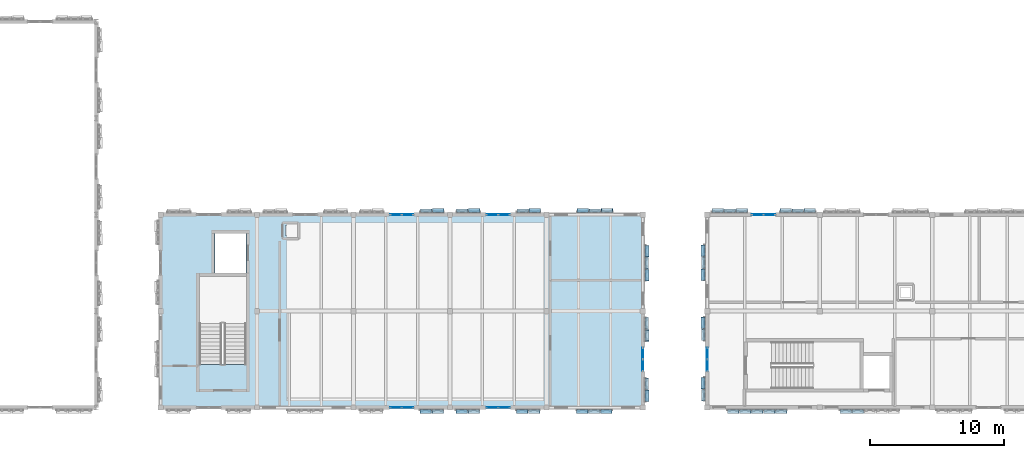
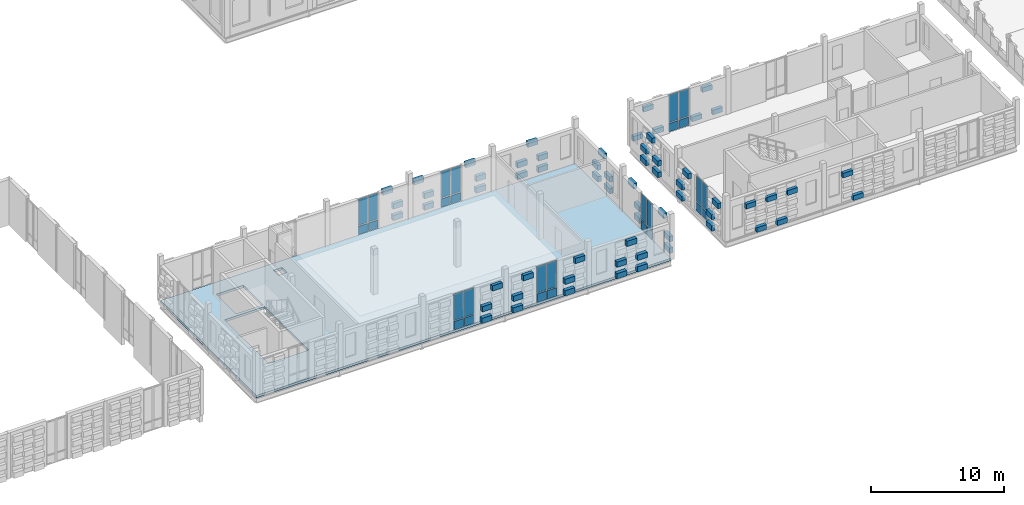
# One storey, part 35 of 81: 91 plates, 1 slab, 7 elements without a shape of their own.
"""IFC4 building model written with IfcOpenShell, lengths in metres."""

from ifc_helpers import new_model, si_unit, direction, frame, origin, origin_2d, place, context, subcontext, project, spatial, polyline, rectangle, outline, extrude, material, layer, layer_set, type_object, element, aggregate, save


model = new_model("IFC4")

# Units and contexts
model_context = context("Model", 3, precision=1e-05, world=origin(), true_north=direction((0.0, 1.0)))
body_context = subcontext(model_context, "Body", "Model", "MODEL_VIEW")
ifc_project = project(units=[si_unit("LENGTHUNIT", "METRE"), si_unit("AREAUNIT", "SQUARE_METRE"), si_unit("VOLUMEUNIT", "CUBIC_METRE"), si_unit("PLANEANGLEUNIT", "RADIAN"), si_unit("MASSUNIT", "GRAM", prefix="KILO")], contexts=[model_context])

# Site, building, storey
site_placement = place(None, origin())
site = spatial("IfcSite", under=ifc_project, at=site_placement, CompositionType="ELEMENT")
building_placement = place(site_placement, origin())
building = spatial("IfcBuilding", under=site, at=building_placement, Name="Kahlenmark Community Centre", CompositionType="ELEMENT")
storey_placement = place(building_placement, frame((0.0, 0.0, 9.60009765625)))
storey = spatial("IfcBuildingStorey", under=building, at=storey_placement, Name="L02", CompositionType="ELEMENT", Elevation=9.60009765625)

# Curtain wall, plates
ifc_material_1 = material(Name="Anodised aluminium unitised curtain wall", Category="aluminium")
curtain_wall_type_1 = type_object("IfcCurtainWallType", Name="CWT-UNIT-180X327", PredefinedType="USERDEFINED", material=ifc_material_1)
curtain_wall_1_placement = place(storey_placement, origin())
curtain_wall_1 = element("IfcCurtainWall", 1, at=curtain_wall_1_placement, inside=storey, type_object=curtain_wall_type_1, Name="Unitised curtain wall CW-104", ObjectType="UNITISED CURTAIN WALL", PredefinedType="USERDEFINED")
ifc_material_2 = material(Name="Triple low-e solar-control glass unit", Category="glass")
ifc_layer_1 = layer(ifc_material_2, 0.0439453125)
ifc_layer_set_1 = layer_set([ifc_layer_1], Name="Triple low-e solar-control glass unit")
plate_type_1 = type_object("IfcPlateType", Name="PLT-CW-GLZ-820X2340", PredefinedType="CURTAIN_PANEL", material=ifc_layer_set_1)
plate_1_placement = place(storey_placement, frame((91.60009765625, 12.85009765625, 0.8896484375), z_axis=(0.0, 0.0, 1.0), x_axis=(0.0, -1.0, 0.0)))
plate_1 = element("IfcPlate", 2, at=plate_1_placement, type_object=plate_type_1, Name="CW-104 glazed panel 1", PredefinedType="CURTAIN_PANEL", context=body_context, shape_type="SweptSolid", body=[
    extrude(rectangle(XDim=0.820068359375, YDim=0.0439453125, at=origin_2d()), origin(), (0.0, 0.0, 1.0), 2.340087890625),
])
plate_2_placement = place(storey_placement, frame((91.60009765625, 11.949951171875, 0.8896484375), z_axis=(0.0, 0.0, 1.0), x_axis=(0.0, -1.0, 0.0)))
plate_2 = element("IfcPlate", 3, at=plate_2_placement, type_object=plate_type_1, Name="CW-104 glazed panel 2", PredefinedType="CURTAIN_PANEL", context=body_context, shape_type="SweptSolid", body=[
    extrude(rectangle(XDim=0.820068359375, YDim=0.0439453125, at=origin_2d()), origin(), (0.0, 0.0, 1.0), 2.340087890625),
])

curtain_wall_type_2 = type_object("IfcCurtainWallType", Name="CWT-UNIT-180X333", PredefinedType="USERDEFINED", material=ifc_material_1)
curtain_wall_2_placement = place(storey_placement, origin())
curtain_wall_2 = element("IfcCurtainWall", 4, at=curtain_wall_2_placement, inside=storey, type_object=curtain_wall_type_2, Name="Unitised curtain wall CW-081", ObjectType="UNITISED CURTAIN WALL", PredefinedType="USERDEFINED")
ifc_layer_2 = layer(ifc_material_2, 0.0439453125)
ifc_layer_set_2 = layer_set([ifc_layer_2], Name="Triple low-e solar-control glass unit")
plate_type_2 = type_object("IfcPlateType", Name="PLT-CW-GLZ-820X2400", PredefinedType="CURTAIN_PANEL", material=ifc_layer_set_2)
plate_3_placement = place(storey_placement, frame((68.35009765625, 8.800048828125, 0.889892578125), z_axis=(0.0, 0.0, 1.0), x_axis=(1.0, 0.0, 0.0)))
plate_3 = element("IfcPlate", 5, at=plate_3_placement, type_object=plate_type_2, Name="CW-081 glazed panel 1", PredefinedType="CURTAIN_PANEL", context=body_context, shape_type="SweptSolid", body=[
    extrude(rectangle(XDim=0.820068359375, YDim=0.0439453125, at=origin_2d()), origin(), (0.0, 0.0, 1.0), 2.39990234375),
])
plate_4_placement = place(storey_placement, frame((69.25, 8.800048828125, 0.889892578125), z_axis=(0.0, 0.0, 1.0), x_axis=(1.0, 0.0, 0.0)))
plate_4 = element("IfcPlate", 6, at=plate_4_placement, type_object=plate_type_2, Name="CW-081 glazed panel 2", PredefinedType="CURTAIN_PANEL", context=body_context, shape_type="SweptSolid", body=[
    extrude(rectangle(XDim=0.820068359375, YDim=0.0439453125, at=origin_2d()), origin(), (0.0, 0.0, 1.0), 2.39990234375),
])

curtain_wall_3_placement = place(storey_placement, origin())
curtain_wall_3 = element("IfcCurtainWall", 7, at=curtain_wall_3_placement, inside=storey, type_object=curtain_wall_type_2, Name="Unitised curtain wall CW-082", ObjectType="UNITISED CURTAIN WALL", PredefinedType="USERDEFINED")
plate_5_placement = place(storey_placement, frame((75.550048828125, 8.800048828125, 0.889892578125), z_axis=(0.0, 0.0, 1.0), x_axis=(1.0, 0.0, 0.0)))
plate_5 = element("IfcPlate", 8, at=plate_5_placement, type_object=plate_type_2, Name="CW-082 glazed panel 1", PredefinedType="CURTAIN_PANEL", context=body_context, shape_type="SweptSolid", body=[
    extrude(rectangle(XDim=0.820068359375, YDim=0.0439453125, at=origin_2d()), origin(), (0.0, 0.0, 1.0), 2.39990234375),
])
plate_6_placement = place(storey_placement, frame((76.449951171875, 8.800048828125, 0.889892578125), z_axis=(0.0, 0.0, 1.0), x_axis=(1.0, 0.0, 0.0)))
plate_6 = element("IfcPlate", 9, at=plate_6_placement, type_object=plate_type_2, Name="CW-082 glazed panel 2", PredefinedType="CURTAIN_PANEL", context=body_context, shape_type="SweptSolid", body=[
    extrude(rectangle(XDim=0.820068359375, YDim=0.0439453125, at=origin_2d()), origin(), (0.0, 0.0, 1.0), 2.39990234375),
])

curtain_wall_4_placement = place(storey_placement, origin())
curtain_wall_4 = element("IfcCurtainWall", 10, at=curtain_wall_4_placement, inside=storey, type_object=curtain_wall_type_2, Name="Unitised curtain wall CW-085", ObjectType="UNITISED CURTAIN WALL", PredefinedType="USERDEFINED")
plate_7_placement = place(storey_placement, frame((69.25, 23.199951171875, 0.889892578125), z_axis=(0.0, 0.0, 1.0), x_axis=(-1.0, 0.0, 0.0)))
plate_7 = element("IfcPlate", 11, at=plate_7_placement, type_object=plate_type_2, Name="CW-085 glazed panel 1", PredefinedType="CURTAIN_PANEL", context=body_context, shape_type="SweptSolid", body=[
    extrude(rectangle(XDim=0.820068359375, YDim=0.0439453125, at=origin_2d()), origin(), (0.0, 0.0, 1.0), 2.39990234375),
])
plate_8_placement = place(storey_placement, frame((68.35009765625, 23.199951171875, 0.889892578125), z_axis=(0.0, 0.0, 1.0), x_axis=(-1.0, 0.0, 0.0)))
plate_8 = element("IfcPlate", 12, at=plate_8_placement, type_object=plate_type_2, Name="CW-085 glazed panel 2", PredefinedType="CURTAIN_PANEL", context=body_context, shape_type="SweptSolid", body=[
    extrude(rectangle(XDim=0.820068359375, YDim=0.0439453125, at=origin_2d()), origin(), (0.0, 0.0, 1.0), 2.39990234375),
])

curtain_wall_5_placement = place(storey_placement, origin())
curtain_wall_5 = element("IfcCurtainWall", 13, at=curtain_wall_5_placement, inside=storey, type_object=curtain_wall_type_2, Name="Unitised curtain wall CW-086", ObjectType="UNITISED CURTAIN WALL", PredefinedType="USERDEFINED")
plate_9_placement = place(storey_placement, frame((76.449951171875, 23.199951171875, 0.889892578125), z_axis=(0.0, 0.0, 1.0), x_axis=(-1.0, 0.0, 0.0)))
plate_9 = element("IfcPlate", 14, at=plate_9_placement, type_object=plate_type_2, Name="CW-086 glazed panel 1", PredefinedType="CURTAIN_PANEL", context=body_context, shape_type="SweptSolid", body=[
    extrude(rectangle(XDim=0.820068359375, YDim=0.0439453125, at=origin_2d()), origin(), (0.0, 0.0, 1.0), 2.39990234375),
])
plate_10_placement = place(storey_placement, frame((75.550048828125, 23.199951171875, 0.889892578125), z_axis=(0.0, 0.0, 1.0), x_axis=(-1.0, 0.0, 0.0)))
plate_10 = element("IfcPlate", 15, at=plate_10_placement, type_object=plate_type_2, Name="CW-086 glazed panel 2", PredefinedType="CURTAIN_PANEL", context=body_context, shape_type="SweptSolid", body=[
    extrude(rectangle(XDim=0.820068359375, YDim=0.0439453125, at=origin_2d()), origin(), (0.0, 0.0, 1.0), 2.39990234375),
])

curtain_wall_6_placement = place(storey_placement, origin())
curtain_wall_6 = element("IfcCurtainWall", 16, at=curtain_wall_6_placement, inside=storey, type_object=curtain_wall_type_2, Name="Unitised curtain wall CW-088", ObjectType="UNITISED CURTAIN WALL", PredefinedType="USERDEFINED")
plate_11_placement = place(storey_placement, frame((86.800048828125, 11.949951171875, 0.889892578125), z_axis=(0.0, 0.0, 1.0), x_axis=(0.0, 1.0, 0.0)))
plate_11 = element("IfcPlate", 17, at=plate_11_placement, type_object=plate_type_2, Name="CW-088 glazed panel 1", PredefinedType="CURTAIN_PANEL", context=body_context, shape_type="SweptSolid", body=[
    extrude(rectangle(XDim=0.820068359375, YDim=0.0439453125, at=origin_2d()), origin(), (0.0, 0.0, 1.0), 2.39990234375),
])
plate_12_placement = place(storey_placement, frame((86.800048828125, 12.85009765625, 0.889892578125), z_axis=(0.0, 0.0, 1.0), x_axis=(0.0, 1.0, 0.0)))
plate_12 = element("IfcPlate", 18, at=plate_12_placement, type_object=plate_type_2, Name="CW-088 glazed panel 2", PredefinedType="CURTAIN_PANEL", context=body_context, shape_type="SweptSolid", body=[
    extrude(rectangle(XDim=0.820068359375, YDim=0.0439453125, at=origin_2d()), origin(), (0.0, 0.0, 1.0), 2.39990234375),
])

curtain_wall_type_3 = type_object("IfcCurtainWallType", Name="CWT-UNIT-180X347", PredefinedType="USERDEFINED", material=ifc_material_1)
curtain_wall_7_placement = place(storey_placement, origin())
curtain_wall_7 = element("IfcCurtainWall", 19, at=curtain_wall_7_placement, inside=storey, type_object=curtain_wall_type_3, Name="Unitised curtain wall CW-102", ObjectType="UNITISED CURTAIN WALL", PredefinedType="USERDEFINED")
ifc_layer_3 = layer(ifc_material_2, 0.0439453125)
ifc_layer_set_3 = layer_set([ifc_layer_3], Name="Triple low-e solar-control glass unit")
plate_type_3 = type_object("IfcPlateType", Name="PLT-CW-GLZ-820X2540", PredefinedType="CURTAIN_PANEL", material=ifc_layer_set_3)
plate_13_placement = place(storey_placement, frame((96.25, 23.199951171875, 0.889892578125), z_axis=(0.0, 0.0, 1.0), x_axis=(-1.0, 0.0, 0.0)))
plate_13 = element("IfcPlate", 20, at=plate_13_placement, type_object=plate_type_3, Name="CW-102 glazed panel 1", PredefinedType="CURTAIN_PANEL", context=body_context, shape_type="SweptSolid", body=[
    extrude(rectangle(XDim=0.820068359375, YDim=0.0439453125, at=origin_2d()), origin(), (0.0, 0.0, 1.0), 2.5400390625),
])
plate_14_placement = place(storey_placement, frame((95.35009765625, 23.199951171875, 0.889892578125), z_axis=(0.0, 0.0, 1.0), x_axis=(-1.0, 0.0, 0.0)))
plate_14 = element("IfcPlate", 21, at=plate_14_placement, type_object=plate_type_3, Name="CW-102 glazed panel 2", PredefinedType="CURTAIN_PANEL", context=body_context, shape_type="SweptSolid", body=[
    extrude(rectangle(XDim=0.820068359375, YDim=0.0439453125, at=origin_2d()), origin(), (0.0, 0.0, 1.0), 2.5400390625),
])

# Plate
ifc_material_3 = material(Name="Warm terracotta insulated spandrel cassette", Category="masonry")
ifc_layer_4 = layer(ifc_material_3, 0.06005859375)
ifc_layer_set_4 = layer_set([ifc_layer_4], Name="Warm terracotta insulated spandrel cassette")
plate_type_4 = type_object("IfcPlateType", Name="PLT-CW-SPD-820X770", PredefinedType="CURTAIN_PANEL", material=ifc_layer_set_4)
plate_15_placement = place(storey_placement, frame((68.35009765625, 8.800048828125, 0.039794921875), z_axis=(0.0, 0.0, 1.0), x_axis=(1.0, 0.0, 0.0)))
plate_15 = element("IfcPlate", 22, at=plate_15_placement, type_object=plate_type_4, Name="CW-081 spandrel 1", PredefinedType="CURTAIN_PANEL", context=body_context, shape_type="SweptSolid", body=[
    extrude(rectangle(XDim=0.820068359375, YDim=0.06005859375, at=origin_2d()), origin(), (0.0, 0.0, 1.0), 0.77001953125),
])

plate_16_placement = place(storey_placement, frame((69.25, 8.800048828125, 0.039794921875), z_axis=(0.0, 0.0, 1.0), x_axis=(1.0, 0.0, 0.0)))
plate_16 = element("IfcPlate", 23, at=plate_16_placement, type_object=plate_type_4, Name="CW-081 spandrel 2", PredefinedType="CURTAIN_PANEL", context=body_context, shape_type="SweptSolid", body=[
    extrude(rectangle(XDim=0.820068359375, YDim=0.06005859375, at=origin_2d()), origin(), (0.0, 0.0, 1.0), 0.77001953125),
])

aggregate(curtain_wall_2, [plate_15, plate_3, plate_16, plate_4])

plate_17_placement = place(storey_placement, frame((75.550048828125, 8.800048828125, 0.039794921875), z_axis=(0.0, 0.0, 1.0), x_axis=(1.0, 0.0, 0.0)))
plate_17 = element("IfcPlate", 24, at=plate_17_placement, type_object=plate_type_4, Name="CW-082 spandrel 1", PredefinedType="CURTAIN_PANEL", context=body_context, shape_type="SweptSolid", body=[
    extrude(rectangle(XDim=0.820068359375, YDim=0.06005859375, at=origin_2d()), origin(), (0.0, 0.0, 1.0), 0.77001953125),
])

plate_18_placement = place(storey_placement, frame((76.449951171875, 8.800048828125, 0.039794921875), z_axis=(0.0, 0.0, 1.0), x_axis=(1.0, 0.0, 0.0)))
plate_18 = element("IfcPlate", 25, at=plate_18_placement, type_object=plate_type_4, Name="CW-082 spandrel 2", PredefinedType="CURTAIN_PANEL", context=body_context, shape_type="SweptSolid", body=[
    extrude(rectangle(XDim=0.820068359375, YDim=0.06005859375, at=origin_2d()), origin(), (0.0, 0.0, 1.0), 0.77001953125),
])

aggregate(curtain_wall_3, [plate_17, plate_5, plate_18, plate_6])

plate_19_placement = place(storey_placement, frame((69.25, 23.199951171875, 0.039794921875), z_axis=(0.0, 0.0, 1.0), x_axis=(-1.0, 0.0, 0.0)))
plate_19 = element("IfcPlate", 26, at=plate_19_placement, type_object=plate_type_4, Name="CW-085 spandrel 1", PredefinedType="CURTAIN_PANEL", context=body_context, shape_type="SweptSolid", body=[
    extrude(rectangle(XDim=0.820068359375, YDim=0.06005859375, at=origin_2d()), origin(), (0.0, 0.0, 1.0), 0.77001953125),
])

plate_20_placement = place(storey_placement, frame((68.35009765625, 23.199951171875, 0.039794921875), z_axis=(0.0, 0.0, 1.0), x_axis=(-1.0, 0.0, 0.0)))
plate_20 = element("IfcPlate", 27, at=plate_20_placement, type_object=plate_type_4, Name="CW-085 spandrel 2", PredefinedType="CURTAIN_PANEL", context=body_context, shape_type="SweptSolid", body=[
    extrude(rectangle(XDim=0.820068359375, YDim=0.06005859375, at=origin_2d()), origin(), (0.0, 0.0, 1.0), 0.77001953125),
])

aggregate(curtain_wall_4, [plate_19, plate_7, plate_20, plate_8])

plate_21_placement = place(storey_placement, frame((76.449951171875, 23.199951171875, 0.039794921875), z_axis=(0.0, 0.0, 1.0), x_axis=(-1.0, 0.0, 0.0)))
plate_21 = element("IfcPlate", 28, at=plate_21_placement, type_object=plate_type_4, Name="CW-086 spandrel 1", PredefinedType="CURTAIN_PANEL", context=body_context, shape_type="SweptSolid", body=[
    extrude(rectangle(XDim=0.820068359375, YDim=0.06005859375, at=origin_2d()), origin(), (0.0, 0.0, 1.0), 0.77001953125),
])

plate_22_placement = place(storey_placement, frame((75.550048828125, 23.199951171875, 0.039794921875), z_axis=(0.0, 0.0, 1.0), x_axis=(-1.0, 0.0, 0.0)))
plate_22 = element("IfcPlate", 29, at=plate_22_placement, type_object=plate_type_4, Name="CW-086 spandrel 2", PredefinedType="CURTAIN_PANEL", context=body_context, shape_type="SweptSolid", body=[
    extrude(rectangle(XDim=0.820068359375, YDim=0.06005859375, at=origin_2d()), origin(), (0.0, 0.0, 1.0), 0.77001953125),
])

aggregate(curtain_wall_5, [plate_21, plate_9, plate_22, plate_10])

plate_23_placement = place(storey_placement, frame((86.800048828125, 11.949951171875, 0.039794921875), z_axis=(0.0, 0.0, 1.0), x_axis=(0.0, 1.0, 0.0)))
plate_23 = element("IfcPlate", 30, at=plate_23_placement, type_object=plate_type_4, Name="CW-088 spandrel 1", PredefinedType="CURTAIN_PANEL", context=body_context, shape_type="SweptSolid", body=[
    extrude(rectangle(XDim=0.820068359375, YDim=0.06005859375, at=origin_2d()), origin(), (0.0, 0.0, 1.0), 0.77001953125),
])

plate_24_placement = place(storey_placement, frame((86.800048828125, 12.85009765625, 0.039794921875), z_axis=(0.0, 0.0, 1.0), x_axis=(0.0, 1.0, 0.0)))
plate_24 = element("IfcPlate", 31, at=plate_24_placement, type_object=plate_type_4, Name="CW-088 spandrel 2", PredefinedType="CURTAIN_PANEL", context=body_context, shape_type="SweptSolid", body=[
    extrude(rectangle(XDim=0.820068359375, YDim=0.06005859375, at=origin_2d()), origin(), (0.0, 0.0, 1.0), 0.77001953125),
])

aggregate(curtain_wall_6, [plate_23, plate_11, plate_24, plate_12])

plate_25_placement = place(storey_placement, frame((96.25, 23.199951171875, 0.039794921875), z_axis=(0.0, 0.0, 1.0), x_axis=(-1.0, 0.0, 0.0)))
plate_25 = element("IfcPlate", 32, at=plate_25_placement, type_object=plate_type_4, Name="CW-102 spandrel 1", PredefinedType="CURTAIN_PANEL", context=body_context, shape_type="SweptSolid", body=[
    extrude(rectangle(XDim=0.820068359375, YDim=0.06005859375, at=origin_2d()), origin(), (0.0, 0.0, 1.0), 0.77001953125),
])

plate_26_placement = place(storey_placement, frame((95.35009765625, 23.199951171875, 0.039794921875), z_axis=(0.0, 0.0, 1.0), x_axis=(-1.0, 0.0, 0.0)))
plate_26 = element("IfcPlate", 33, at=plate_26_placement, type_object=plate_type_4, Name="CW-102 spandrel 2", PredefinedType="CURTAIN_PANEL", context=body_context, shape_type="SweptSolid", body=[
    extrude(rectangle(XDim=0.820068359375, YDim=0.06005859375, at=origin_2d()), origin(), (0.0, 0.0, 1.0), 0.77001953125),
])

aggregate(curtain_wall_7, [plate_25, plate_13, plate_26, plate_14])

plate_27_placement = place(storey_placement, frame((91.60009765625, 12.85009765625, 0.039794921875), z_axis=(0.0, 0.0, 1.0), x_axis=(0.0, -1.0, 0.0)))
plate_27 = element("IfcPlate", 34, at=plate_27_placement, type_object=plate_type_4, Name="CW-104 spandrel 1", PredefinedType="CURTAIN_PANEL", context=body_context, shape_type="SweptSolid", body=[
    extrude(rectangle(XDim=0.820068359375, YDim=0.06005859375, at=origin_2d()), origin(), (0.0, 0.0, 1.0), 0.77001953125),
])

plate_28_placement = place(storey_placement, frame((91.60009765625, 11.949951171875, 0.039794921875), z_axis=(0.0, 0.0, 1.0), x_axis=(0.0, -1.0, 0.0)))
plate_28 = element("IfcPlate", 35, at=plate_28_placement, type_object=plate_type_4, Name="CW-104 spandrel 2", PredefinedType="CURTAIN_PANEL", context=body_context, shape_type="SweptSolid", body=[
    extrude(rectangle(XDim=0.820068359375, YDim=0.06005859375, at=origin_2d()), origin(), (0.0, 0.0, 1.0), 0.77001953125),
])

aggregate(curtain_wall_1, [plate_27, plate_1, plate_28, plate_2])

# Plates
ifc_material_4 = material(Name="Extruded glazed terracotta weave cassette", Category="masonry")
ifc_layer_5 = layer(ifc_material_4, 0.300048828125)
ifc_layer_set_5 = layer_set([ifc_layer_5], Name="Extruded glazed terracotta weave cassette")
plate_type_5 = type_object("IfcPlateType", Name="PLT-TC-TC-R34-840X300X478", PredefinedType="SHEET", material=ifc_layer_set_5)
for number, where, z_axis, x_axis, name in (
    (36, (91.300048828125, 15.1201171875, 1.135986328125), (0.0, 0.0, 1.0), (0.0, -1.0, 0.0), "Basketweave terracotta cassette 3300"),
    (37, (91.300048828125, 10.6201171875, 1.135986328125), (0.0, 0.0, 1.0), (0.0, -1.0, 0.0), "Basketweave terracotta cassette 3312"),
    (38, (91.300048828125, 20.52001953125, 1.135986328125), (0.0, 0.0, 1.0), (0.0, -1.0, 0.0), "Basketweave terracotta cassette 3324"),
    (39, (91.300048828125, 18.719970703125, 1.135986328125), (0.0, 0.0, 1.0), (0.0, -1.0, 0.0), "Basketweave terracotta cassette 3336"),
):
    element("IfcPlate", number, at=place(storey_placement, frame(where, z_axis=z_axis, x_axis=x_axis)), inside=storey, type_object=plate_type_5, Name=name, PredefinedType="SHEET", context=body_context, shape_type="SweptSolid", body=[
        extrude(rectangle(XDim=0.840087890625, YDim=0.300048828125, at=origin_2d()), origin(), (0.0, 0.0, 1.0), 0.47802734375),
    ])
ifc_layer_6 = layer(ifc_material_4, 0.300048828125)
ifc_layer_set_6 = layer_set([ifc_layer_6], Name="Extruded glazed terracotta weave cassette")
plate_type_6 = type_object("IfcPlateType", Name="PLT-TC-TC-R34-840X300X488", PredefinedType="SHEET", material=ifc_layer_set_6)
for number, where, z_axis, x_axis, name in (
    (40, (70.580078125, 8.5, 1.15576171875), (0.0, 0.0, 1.0), (1.0, 0.0, 0.0), "Basketweave terracotta cassette 2817"),
    (41, (73.280029296875, 8.5, 1.15576171875), (0.0, 0.0, 1.0), (1.0, 0.0, 0.0), "Basketweave terracotta cassette 2829"),
    (42, (77.780029296875, 8.5, 1.15576171875), (0.0, 0.0, 1.0), (1.0, 0.0, 0.0), "Basketweave terracotta cassette 2841"),
    (43, (82.280029296875, 8.5, 1.15576171875), (0.0, 0.0, 1.0), (1.0, 0.0, 0.0), "Basketweave terracotta cassette 2853"),
    (44, (84.080078125, 8.5, 1.15576171875), (0.0, 0.0, 1.0), (1.0, 0.0, 0.0), "Basketweave terracotta cassette 2865"),
    (45, (71.52001953125, 23.5, 1.15576171875), (0.0, 0.0, 1.0), (-1.0, 0.0, 0.0), "Basketweave terracotta cassette 2919"),
    (46, (78.719970703125, 23.5, 1.15576171875), (0.0, 0.0, 1.0), (-1.0, 0.0, 0.0), "Basketweave terracotta cassette 2943"),
    (47, (74.219970703125, 23.5, 1.15576171875), (0.0, 0.0, 1.0), (-1.0, 0.0, 0.0), "Basketweave terracotta cassette 2955"),
    (48, (84.1201171875, 23.5, 1.15576171875), (0.0, 0.0, 1.0), (-1.0, 0.0, 0.0), "Basketweave terracotta cassette 2967"),
    (49, (82.320068359375, 23.5, 1.15576171875), (0.0, 0.0, 1.0), (-1.0, 0.0, 0.0), "Basketweave terracotta cassette 2979"),
    (50, (87.10009765625, 9.679931640625, 1.15576171875), (0.0, 0.0, 1.0), (0.0, 1.0, 0.0), "Basketweave terracotta cassette 3027"),
    (51, (87.10009765625, 14.179931640625, 1.15576171875), (0.0, 0.0, 1.0), (0.0, 1.0, 0.0), "Basketweave terracotta cassette 3039"),
    (52, (87.10009765625, 18.679931640625, 1.15576171875), (0.0, 0.0, 1.0), (0.0, 1.0, 0.0), "Basketweave terracotta cassette 3051"),
    (53, (87.10009765625, 20.47998046875, 1.15576171875), (0.0, 0.0, 1.0), (0.0, 1.0, 0.0), "Basketweave terracotta cassette 3063"),
):
    element("IfcPlate", number, at=place(storey_placement, frame(where, z_axis=z_axis, x_axis=x_axis)), inside=storey, type_object=plate_type_6, Name=name, PredefinedType="SHEET", context=body_context, shape_type="SweptSolid", body=[
        extrude(rectangle(XDim=0.840087890625, YDim=0.300048828125, at=origin_2d()), origin(), (0.0, 0.0, 1.0), 0.488037109375),
    ])
ifc_layer_7 = layer(ifc_material_4, 0.300048828125)
ifc_layer_set_7 = layer_set([ifc_layer_7], Name="Extruded glazed terracotta weave cassette")
plate_type_7 = type_object("IfcPlateType", Name="PLT-TC-TC-R34-860X300X433", PredefinedType="SHEET", material=ifc_layer_set_7)
for number, where, z_axis, x_axis, name in (
    (54, (102.830078125, 8.5, 0.099853515625), (0.0, 0.0, 1.0), (1.0, 0.0, 0.0), "Basketweave terracotta cassette 3109"),
    (55, (99.27001953125, 23.5, 0.099853515625), (0.0, 0.0, 1.0), (-1.0, 0.0, 0.0), "Basketweave terracotta cassette 3179"),
    (56, (97.469970703125, 23.5, 0.099853515625), (0.0, 0.0, 1.0), (-1.0, 0.0, 0.0), "Basketweave terracotta cassette 3193"),
    (57, (94.169921875, 23.5, 0.099853515625), (0.0, 0.0, 1.0), (-1.0, 0.0, 0.0), "Basketweave terracotta cassette 3200"),
    (58, (92.3701171875, 23.5, 0.099853515625), (0.0, 0.0, 1.0), (-1.0, 0.0, 0.0), "Basketweave terracotta cassette 3214"),
):
    element("IfcPlate", number, at=place(storey_placement, frame(where, z_axis=z_axis, x_axis=x_axis)), inside=storey, type_object=plate_type_7, Name=name, PredefinedType="SHEET", context=body_context, shape_type="SweptSolid", body=[
        extrude(rectangle(XDim=0.860107421875, YDim=0.300048828125, at=origin_2d()), origin(), (0.0, 0.0, 1.0), 0.43310546875),
    ])
ifc_layer_8 = layer(ifc_material_4, 0.300048828125)
ifc_layer_set_8 = layer_set([ifc_layer_8], Name="Extruded glazed terracotta weave cassette")
plate_type_8 = type_object("IfcPlateType", Name="PLT-TC-TC-R34-860X300X450", PredefinedType="SHEET", material=ifc_layer_set_8)
for number, where, z_axis, x_axis, name in (
    (59, (94.429931640625, 8.5, 0.10009765625), (0.0, 0.0, 1.0), (1.0, 0.0, 0.0), "Basketweave terracotta cassette 3074"),
    (60, (96.22998046875, 8.5, 0.10009765625), (0.0, 0.0, 1.0), (1.0, 0.0, 0.0), "Basketweave terracotta cassette 3088"),
):
    element("IfcPlate", number, at=place(storey_placement, frame(where, z_axis=z_axis, x_axis=x_axis)), inside=storey, type_object=plate_type_8, Name=name, PredefinedType="SHEET", context=body_context, shape_type="SweptSolid", body=[
        extrude(rectangle(XDim=0.860107421875, YDim=0.300048828125, at=origin_2d()), origin(), (0.0, 0.0, 1.0), 0.449951171875),
    ])
ifc_layer_9 = layer(ifc_material_4, 0.300048828125)
ifc_layer_set_9 = layer_set([ifc_layer_9], Name="Extruded glazed terracotta weave cassette")
plate_type_9 = type_object("IfcPlateType", Name="PLT-TC-TC-R34-860X300X478", PredefinedType="SHEET", material=ifc_layer_set_9)
for number, where, z_axis, x_axis, name in (
    (61, (91.300048828125, 15.1201171875, 0.099853515625), (0.0, 0.0, 1.0), (0.0, -1.0, 0.0), "Basketweave terracotta cassette 3298"),
    (62, (91.300048828125, 10.6201171875, 0.099853515625), (0.0, 0.0, 1.0), (0.0, -1.0, 0.0), "Basketweave terracotta cassette 3310"),
    (63, (91.300048828125, 20.52001953125, 0.099853515625), (0.0, 0.0, 1.0), (0.0, -1.0, 0.0), "Basketweave terracotta cassette 3322"),
    (64, (91.300048828125, 18.719970703125, 0.099853515625), (0.0, 0.0, 1.0), (0.0, -1.0, 0.0), "Basketweave terracotta cassette 3334"),
):
    element("IfcPlate", number, at=place(storey_placement, frame(where, z_axis=z_axis, x_axis=x_axis)), inside=storey, type_object=plate_type_9, Name=name, PredefinedType="SHEET", context=body_context, shape_type="SweptSolid", body=[
        extrude(rectangle(XDim=0.860107421875, YDim=0.300048828125, at=origin_2d()), origin(), (0.0, 0.0, 1.0), 0.47802734375),
    ])
ifc_layer_10 = layer(ifc_material_4, 0.300048828125)
ifc_layer_set_10 = layer_set([ifc_layer_10], Name="Extruded glazed terracotta weave cassette")
plate_type_10 = type_object("IfcPlateType", Name="PLT-TC-TC-R34-860X300X488", PredefinedType="SHEET", material=ifc_layer_set_10)
for number, where, z_axis, x_axis, name in (
    (65, (70.580078125, 8.5, 0.10009765625), (0.0, 0.0, 1.0), (1.0, 0.0, 0.0), "Basketweave terracotta cassette 2815"),
    (66, (73.280029296875, 8.5, 0.10009765625), (0.0, 0.0, 1.0), (1.0, 0.0, 0.0), "Basketweave terracotta cassette 2827"),
    (67, (77.780029296875, 8.5, 0.10009765625), (0.0, 0.0, 1.0), (1.0, 0.0, 0.0), "Basketweave terracotta cassette 2839"),
    (68, (82.280029296875, 8.5, 0.10009765625), (0.0, 0.0, 1.0), (1.0, 0.0, 0.0), "Basketweave terracotta cassette 2851"),
    (69, (84.080078125, 8.5, 0.10009765625), (0.0, 0.0, 1.0), (1.0, 0.0, 0.0), "Basketweave terracotta cassette 2863"),
    (70, (71.52001953125, 23.5, 0.10009765625), (0.0, 0.0, 1.0), (-1.0, 0.0, 0.0), "Basketweave terracotta cassette 2917"),
    (71, (78.719970703125, 23.5, 0.10009765625), (0.0, 0.0, 1.0), (-1.0, 0.0, 0.0), "Basketweave terracotta cassette 2941"),
    (72, (74.219970703125, 23.5, 0.10009765625), (0.0, 0.0, 1.0), (-1.0, 0.0, 0.0), "Basketweave terracotta cassette 2953"),
    (73, (84.1201171875, 23.5, 0.10009765625), (0.0, 0.0, 1.0), (-1.0, 0.0, 0.0), "Basketweave terracotta cassette 2965"),
    (74, (82.320068359375, 23.5, 0.10009765625), (0.0, 0.0, 1.0), (-1.0, 0.0, 0.0), "Basketweave terracotta cassette 2977"),
    (75, (87.10009765625, 9.679931640625, 0.10009765625), (0.0, 0.0, 1.0), (0.0, 1.0, 0.0), "Basketweave terracotta cassette 3025"),
    (76, (87.10009765625, 14.179931640625, 0.10009765625), (0.0, 0.0, 1.0), (0.0, 1.0, 0.0), "Basketweave terracotta cassette 3037"),
    (77, (87.10009765625, 18.679931640625, 0.10009765625), (0.0, 0.0, 1.0), (0.0, 1.0, 0.0), "Basketweave terracotta cassette 3049"),
    (78, (87.10009765625, 20.47998046875, 0.10009765625), (0.0, 0.0, 1.0), (0.0, 1.0, 0.0), "Basketweave terracotta cassette 3061"),
):
    element("IfcPlate", number, at=place(storey_placement, frame(where, z_axis=z_axis, x_axis=x_axis)), inside=storey, type_object=plate_type_10, Name=name, PredefinedType="SHEET", context=body_context, shape_type="SweptSolid", body=[
        extrude(rectangle(XDim=0.860107421875, YDim=0.300048828125, at=origin_2d()), origin(), (0.0, 0.0, 1.0), 0.488037109375),
    ])
ifc_layer_11 = layer(ifc_material_4, 0.280029296875)
ifc_layer_set_11 = layer_set([ifc_layer_11], Name="Extruded glazed terracotta weave cassette")
plate_type_11 = type_object("IfcPlateType", Name="PLT-TC-TC-W30-860X280X433", PredefinedType="SHEET", material=ifc_layer_set_11)
for number, where, z_axis, x_axis, name in (
    (79, (101.929931640625, 8.510009765625, 2.46484375), (0.0, 0.0, 1.0), (1.0, 0.0, 0.0), "Basketweave terracotta cassette 3107"),
    (80, (98.3701171875, 23.489990234375, 2.46484375), (0.0, 0.0, 1.0), (-1.0, 0.0, 0.0), "Basketweave terracotta cassette 3191"),
    (81, (93.27001953125, 23.489990234375, 2.46484375), (0.0, 0.0, 1.0), (-1.0, 0.0, 0.0), "Basketweave terracotta cassette 3212"),
):
    element("IfcPlate", number, at=place(storey_placement, frame(where, z_axis=z_axis, x_axis=x_axis)), inside=storey, type_object=plate_type_11, Name=name, PredefinedType="SHEET", context=body_context, shape_type="SweptSolid", body=[
        extrude(rectangle(XDim=0.860107421875, YDim=0.280029296875, at=origin_2d()), origin(), (0.0, 0.0, 1.0), 0.43310546875),
    ])
ifc_layer_12 = layer(ifc_material_4, 0.280029296875)
ifc_layer_set_12 = layer_set([ifc_layer_12], Name="Extruded glazed terracotta weave cassette")
plate_type_12 = type_object("IfcPlateType", Name="PLT-TC-TC-W30-860X280X450", PredefinedType="SHEET", material=ifc_layer_set_12)
for number, where, z_axis, x_axis, name in (
    (82, (93.530029296875, 8.510009765625, 2.5498046875), (0.0, 0.0, 1.0), (1.0, 0.0, 0.0), "Basketweave terracotta cassette 3072"),
    (83, (95.330078125, 8.510009765625, 2.5498046875), (0.0, 0.0, 1.0), (1.0, 0.0, 0.0), "Basketweave terracotta cassette 3086"),
    (84, (97.1298828125, 8.510009765625, 2.5498046875), (0.0, 0.0, 1.0), (1.0, 0.0, 0.0), "Basketweave terracotta cassette 3100"),
):
    element("IfcPlate", number, at=place(storey_placement, frame(where, z_axis=z_axis, x_axis=x_axis)), inside=storey, type_object=plate_type_12, Name=name, PredefinedType="SHEET", context=body_context, shape_type="SweptSolid", body=[
        extrude(rectangle(XDim=0.860107421875, YDim=0.280029296875, at=origin_2d()), origin(), (0.0, 0.0, 1.0), 0.449951171875),
    ])
ifc_layer_13 = layer(ifc_material_4, 0.280029296875)
ifc_layer_set_13 = layer_set([ifc_layer_13], Name="Extruded glazed terracotta weave cassette")
plate_type_13 = type_object("IfcPlateType", Name="PLT-TC-TC-W30-860X280X478", PredefinedType="SHEET", material=ifc_layer_set_13)
for number, where, z_axis, x_axis, name in (
    (85, (91.31005859375, 14.219970703125, 2.68994140625), (0.0, 0.0, 1.0), (0.0, -1.0, 0.0), "Basketweave terracotta cassette 3309"),
    (86, (91.31005859375, 9.719970703125, 2.68994140625), (0.0, 0.0, 1.0), (0.0, -1.0, 0.0), "Basketweave terracotta cassette 3321"),
    (87, (91.31005859375, 19.6201171875, 2.68994140625), (0.0, 0.0, 1.0), (0.0, -1.0, 0.0), "Basketweave terracotta cassette 3333"),
):
    element("IfcPlate", number, at=place(storey_placement, frame(where, z_axis=z_axis, x_axis=x_axis)), inside=storey, type_object=plate_type_13, Name=name, PredefinedType="SHEET", context=body_context, shape_type="SweptSolid", body=[
        extrude(rectangle(XDim=0.860107421875, YDim=0.280029296875, at=origin_2d()), origin(), (0.0, 0.0, 1.0), 0.47802734375),
    ])
ifc_layer_14 = layer(ifc_material_4, 0.280029296875)
ifc_layer_set_14 = layer_set([ifc_layer_14], Name="Extruded glazed terracotta weave cassette")
plate_type_14 = type_object("IfcPlateType", Name="PLT-TC-TC-W30-860X280X488", PredefinedType="SHEET", material=ifc_layer_set_14)
for number, where, z_axis, x_axis, name in (
    (88, (71.47998046875, 8.510009765625, 2.73974609375), (0.0, 0.0, 1.0), (1.0, 0.0, 0.0), "Basketweave terracotta cassette 2826"),
    (89, (74.179931640625, 8.510009765625, 2.73974609375), (0.0, 0.0, 1.0), (1.0, 0.0, 0.0), "Basketweave terracotta cassette 2838"),
    (90, (78.679931640625, 8.510009765625, 2.73974609375), (0.0, 0.0, 1.0), (1.0, 0.0, 0.0), "Basketweave terracotta cassette 2850"),
    (91, (83.179931640625, 8.510009765625, 2.73974609375), (0.0, 0.0, 1.0), (1.0, 0.0, 0.0), "Basketweave terracotta cassette 2862"),
    (92, (70.6201171875, 23.489990234375, 2.73974609375), (0.0, 0.0, 1.0), (-1.0, 0.0, 0.0), "Basketweave terracotta cassette 2928"),
    (93, (77.820068359375, 23.489990234375, 2.73974609375), (0.0, 0.0, 1.0), (-1.0, 0.0, 0.0), "Basketweave terracotta cassette 2952"),
    (94, (73.320068359375, 23.489990234375, 2.73974609375), (0.0, 0.0, 1.0), (-1.0, 0.0, 0.0), "Basketweave terracotta cassette 2964"),
    (95, (83.219970703125, 23.489990234375, 2.73974609375), (0.0, 0.0, 1.0), (-1.0, 0.0, 0.0), "Basketweave terracotta cassette 2976"),
    (96, (87.090087890625, 10.580078125, 2.73974609375), (0.0, 0.0, 1.0), (0.0, 1.0, 0.0), "Basketweave terracotta cassette 3036"),
    (97, (87.090087890625, 15.080078125, 2.73974609375), (0.0, 0.0, 1.0), (0.0, 1.0, 0.0), "Basketweave terracotta cassette 3048"),
    (98, (87.090087890625, 19.580078125, 2.73974609375), (0.0, 0.0, 1.0), (0.0, 1.0, 0.0), "Basketweave terracotta cassette 3060"),
):
    element("IfcPlate", number, at=place(storey_placement, frame(where, z_axis=z_axis, x_axis=x_axis)), inside=storey, type_object=plate_type_14, Name=name, PredefinedType="SHEET", context=body_context, shape_type="SweptSolid", body=[
        extrude(rectangle(XDim=0.860107421875, YDim=0.280029296875, at=origin_2d()), origin(), (0.0, 0.0, 1.0), 0.488037109375),
    ])

# Slab
ifc_material_5 = material(Name="Cross-laminated timber CLT C24", Category="wood")
ifc_layer_15 = layer(ifc_material_5, 0.219970703125)
ifc_layer_set_15 = layer_set([ifc_layer_15], Name="Cross-laminated timber CLT C24")
slab_type = type_object("IfcSlabType", Name="ST-FL-CLT220", PredefinedType="FLOOR", material=ifc_layer_set_15)
slab_placement = place(storey_placement, frame((0.0, 0.0, -0.22021484375)))
element("IfcSlab", 99, at=slab_placement, inside=storey, type_object=slab_type, Name="L02 suspended floor slab V3", PredefinedType="FLOOR", context=body_context, shape_type="SweptSolid", body=[
    extrude(outline(polyline([(50.800048828125, 8.800048828125), (86.800048828125, 8.800048828125), (86.800048828125, 23.199951171875), (50.800048828125, 23.199951171875), (50.800048828125, 8.800048828125)]), holes=[polyline([(53.7060546875, 12.006103515625), (57.194091796875, 12.006103515625), (57.194091796875, 18.593994140625), (53.7060546875, 18.593994140625), (53.7060546875, 12.006103515625)]), polyline([(54.845947265625, 18.85595703125), (57.194091796875, 18.85595703125), (57.194091796875, 21.803955078125), (54.845947265625, 21.803955078125), (54.845947265625, 18.85595703125)]), polyline([(60.1259765625, 21.6259765625), (60.8740234375, 21.6259765625), (60.8740234375, 22.3740234375), (60.1259765625, 22.3740234375), (60.1259765625, 21.6259765625)])]), origin(), (0.0, 0.0, 1.0), 0.22021484375),
])

save(model, "model.ifc")
